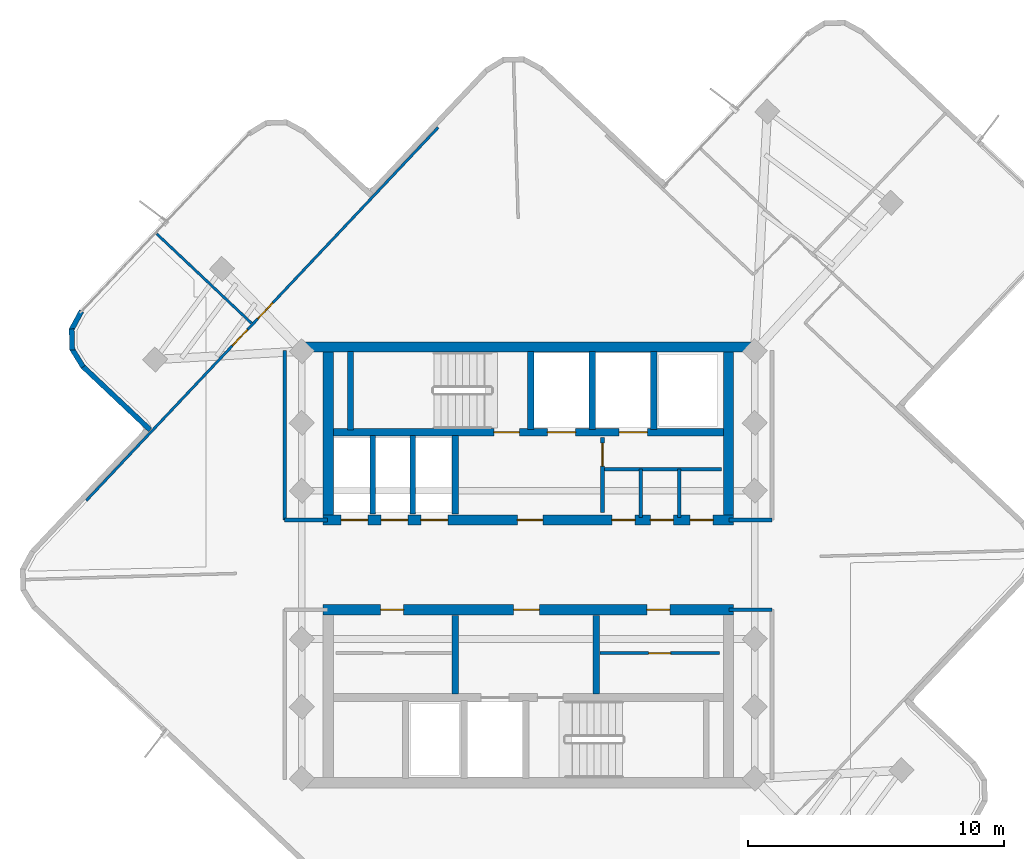
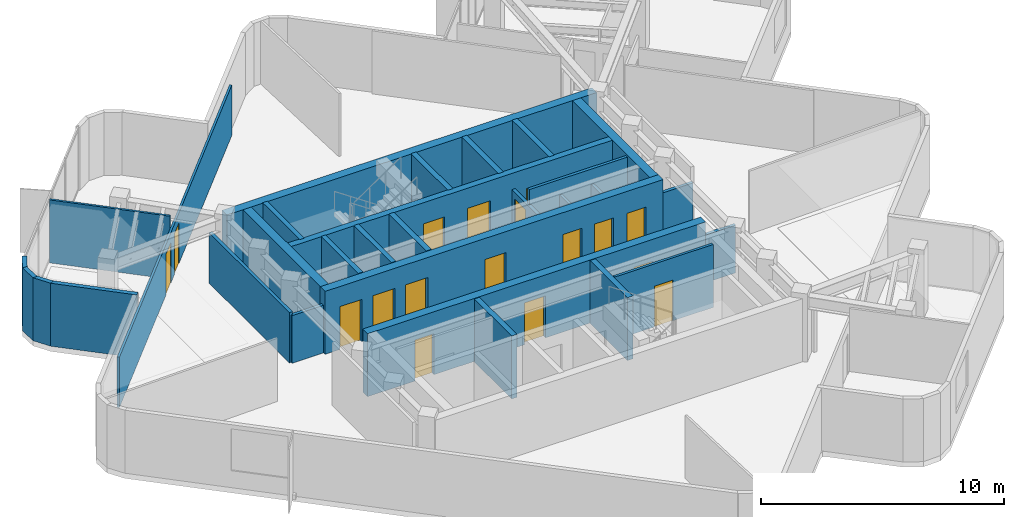
# One storey, part 6 of 10: 30 walls, 17 doors, 17 openings.
"""IFC4 building model written with IfcOpenShell, lengths in metres."""

from ifc_helpers import new_model, si_unit, direction, frame, frame_2d, origin, place, context, subcontext, project, spatial, rectangle, extrude, material, layer, layer_set, type_object, element, fill, save


model = new_model("IFC4")

# Units and contexts
model_context = context("Model", 3, precision=1e-05, world=origin(), true_north=direction((0.0, 1.0)))
body_context = subcontext(model_context, "Body", "Model", "MODEL_VIEW")
ifc_project = project(units=[si_unit("LENGTHUNIT", "METRE"), si_unit("AREAUNIT", "SQUARE_METRE"), si_unit("VOLUMEUNIT", "CUBIC_METRE"), si_unit("PLANEANGLEUNIT", "RADIAN"), si_unit("MASSUNIT", "GRAM", prefix="KILO")], contexts=[model_context])

# Site, building, storey
site_placement = place(None, origin())
site = spatial("IfcSite", under=ifc_project, at=site_placement, CompositionType="ELEMENT")
building_placement = place(site_placement, origin())
building = spatial("IfcBuilding", under=site, at=building_placement, Name="Solmarez Civic Tower", CompositionType="ELEMENT")
storey_placement = place(building_placement, frame((0.0, 0.0, 247.5)))
storey = spatial("IfcBuildingStorey", under=building, at=storey_placement, Name="L66", CompositionType="ELEMENT", Elevation=247.5)

# Wall
ifc_material_1 = material(Name="Concrete C50/60", Category="concrete")
ifc_layer_1 = layer(ifc_material_1, 0.39990234375)
ifc_layer_set_1 = layer_set([ifc_layer_1], Name="Concrete C50/60")
wall_type_1 = type_object("IfcWallType", Name="WALL-CORE-400", PredefinedType="SHEAR", material=ifc_layer_set_1)
wall_1_placement = place(storey_placement, frame((-8.780029296875, 8.510009765625, 0.0), z_axis=(0.0, 0.0, 1.0), x_axis=(1.0, 0.0, 0.0)))
element("IfcWall", 1, at=wall_1_placement, inside=storey, type_object=wall_type_1, Name="L66 Split-Core Structural Wall NCW-N-L66", PredefinedType="SHEAR", context=body_context, shape_type="SweptSolid", body=[
    extrude(rectangle(XDim=17.56005859375, YDim=0.39990234375, at=frame_2d((8.780029296875, 0.0))), origin(), (0.0, 0.0, 1.0), 3.159912109375),
])

# Wall, openings, doors
wall_2_placement = place(storey_placement, frame((8.02001953125, 1.75, 0.0), z_axis=(0.0, 0.0, 1.0), x_axis=(-1.0, 0.0, 0.0)))
wall_2 = element("IfcWall", 2, at=wall_2_placement, inside=storey, type_object=wall_type_1, Name="L66 Split-Core Structural Wall NCW-S-L66", PredefinedType="SHEAR", context=body_context, shape_type="SweptSolid", body=[
    extrude(rectangle(XDim=16.0400390625, YDim=0.39990234375, at=frame_2d((8.02001953125, 0.0))), origin(), (0.0, 0.0, 1.0), 3.159912109375),
])
opening_1_placement = place(wall_2_placement, frame((7.449951171875, 0.0, 0.0)))
opening_1 = element("IfcOpeningElement", 3, at=opening_1_placement, cuts=wall_2, Name="Opening D-04", PredefinedType="OPENING", context=body_context, shape_type="SweptSolid", body=[
    extrude(rectangle(XDim=1.0, YDim=2.10009765625, at=frame_2d((0.5, 1.050048828125))), frame((0.0, 0.2099609375, 0.0), z_axis=(0.0, -1.0, 0.0), x_axis=(1.0, 0.0, 0.0)), (0.0, 0.0, 1.0), 0.419921875),
])
opening_2_placement = place(wall_2_placement, frame((14.284912109375, 0.0, 0.0)))
opening_2 = element("IfcOpeningElement", 4, at=opening_2_placement, cuts=wall_2, Name="Opening LD-01", PredefinedType="OPENING", context=body_context, shape_type="SweptSolid", body=[
    extrude(rectangle(XDim=1.050048828125, YDim=2.14990234375, at=frame_2d((0.52490234375, 1.074951171875))), frame((0.0, 0.2099609375, 0.0), z_axis=(0.0, -1.0, 0.0), x_axis=(1.0, 0.0, 0.0)), (0.0, 0.0, 1.0), 0.419921875),
])
opening_3_placement = place(wall_2_placement, frame((12.72509765625, 0.0, 0.0)))
opening_3 = element("IfcOpeningElement", 5, at=opening_3_placement, cuts=wall_2, Name="Opening LD-01", PredefinedType="OPENING", context=body_context, shape_type="SweptSolid", body=[
    extrude(rectangle(XDim=1.050048828125, YDim=2.14990234375, at=frame_2d((0.52490234375, 1.074951171875))), frame((0.0, 0.2099609375, 0.0), z_axis=(0.0, -1.0, 0.0), x_axis=(1.0, 0.0, 0.0)), (0.0, 0.0, 1.0), 0.419921875),
])
opening_4_placement = place(wall_2_placement, frame((11.1650390625, 0.0, 0.0)))
opening_4 = element("IfcOpeningElement", 6, at=opening_4_placement, cuts=wall_2, Name="Opening LD-01", PredefinedType="OPENING", context=body_context, shape_type="SweptSolid", body=[
    extrude(rectangle(XDim=1.050048828125, YDim=2.14990234375, at=frame_2d((0.52490234375, 1.074951171875))), frame((0.0, 0.2099609375, 0.0), z_axis=(0.0, -1.0, 0.0), x_axis=(1.0, 0.0, 0.0)), (0.0, 0.0, 1.0), 0.419921875),
])
opening_5_placement = place(wall_2_placement, frame((3.85009765625, 0.0, 0.0)))
opening_5 = element("IfcOpeningElement", 7, at=opening_5_placement, cuts=wall_2, Name="Opening D-09", PredefinedType="OPENING", context=body_context, shape_type="SweptSolid", body=[
    extrude(rectangle(XDim=0.89990234375, YDim=2.06005859375, at=frame_2d((0.449951171875, 1.030029296875))), frame((0.0, 0.2099609375, 0.0), z_axis=(0.0, -1.0, 0.0), x_axis=(1.0, 0.0, 0.0)), (0.0, 0.0, 1.0), 0.419921875),
])
opening_6_placement = place(wall_2_placement, frame((2.35009765625, 0.0, 0.0)))
opening_6 = element("IfcOpeningElement", 8, at=opening_6_placement, cuts=wall_2, Name="Opening D-09", PredefinedType="OPENING", context=body_context, shape_type="SweptSolid", body=[
    extrude(rectangle(XDim=0.89990234375, YDim=2.06005859375, at=frame_2d((0.449951171875, 1.030029296875))), frame((0.0, 0.2099609375, 0.0), z_axis=(0.0, -1.0, 0.0), x_axis=(1.0, 0.0, 0.0)), (0.0, 0.0, 1.0), 0.419921875),
])
opening_7_placement = place(wall_2_placement, frame((0.800048828125, 0.0, 0.0)))
opening_7 = element("IfcOpeningElement", 9, at=opening_7_placement, cuts=wall_2, Name="Opening D-09", PredefinedType="OPENING", context=body_context, shape_type="SweptSolid", body=[
    extrude(rectangle(XDim=0.89990234375, YDim=2.06005859375, at=frame_2d((0.449951171875, 1.030029296875))), frame((0.0, 0.2099609375, 0.0), z_axis=(0.0, -1.0, 0.0), x_axis=(1.0, 0.0, 0.0)), (0.0, 0.0, 1.0), 0.419921875),
])
ifc_material_2 = material(Name="Steel-Faced Acoustic Fire Door", Category="steel")
door_type_1 = type_object("IfcDoorType", Name="DOOR-FD60-1000", OperationType="NOTDEFINED", PredefinedType="DOOR", material=ifc_material_2)
door_1_placement = place(opening_1_placement, origin())
door_1 = element("IfcDoor", 10, at=door_1_placement, inside=storey, type_object=door_type_1, Name="L66 North Firefighting Lobby Door", OperationType="SINGLE_SWING_LEFT", OverallHeight=2.10009765625, OverallWidth=1.0, PredefinedType="DOOR", context=body_context, shape_type="SweptSolid", body=[
    extrude(rectangle(XDim=1.0, YDim=2.10009765625, at=frame_2d((0.5, 1.050048828125))), frame((0.0, 0.02490234375, 0.0), z_axis=(0.0, -1.0, 0.0), x_axis=(1.0, 0.0, 0.0)), (0.0, 0.0, 1.0), 0.050048828125),
])
fill(opening_1, door_1)
ifc_material_3 = material(Name="Fire-Rated Service Core Door", Category="wood")
door_type_2 = type_object("IfcDoorType", Name="DOOR-FD60-900", OperationType="NOTDEFINED", PredefinedType="DOOR", material=ifc_material_3)
door_2_placement = place(opening_5_placement, origin())
door_2 = element("IfcDoor", 11, at=door_2_placement, inside=storey, type_object=door_type_2, Name="L66 Core WC Door", OperationType="SINGLE_SWING_RIGHT", OverallHeight=2.06005859375, OverallWidth=0.89990234375, PredefinedType="DOOR", context=body_context, shape_type="SweptSolid", body=[
    extrude(rectangle(XDim=0.89990234375, YDim=2.06005859375, at=frame_2d((0.449951171875, 1.030029296875))), frame((0.0, 0.02490234375, 0.0), z_axis=(0.0, -1.0, 0.0), x_axis=(1.0, 0.0, 0.0)), (0.0, 0.0, 1.0), 0.050048828125),
])
fill(opening_5, door_2)
door_3_placement = place(opening_6_placement, origin())
door_3 = element("IfcDoor", 12, at=door_3_placement, inside=storey, type_object=door_type_2, Name="L66 Core CL Door", OperationType="SINGLE_SWING_LEFT", OverallHeight=2.06005859375, OverallWidth=0.89990234375, PredefinedType="DOOR", context=body_context, shape_type="SweptSolid", body=[
    extrude(rectangle(XDim=0.89990234375, YDim=2.06005859375, at=frame_2d((0.449951171875, 1.030029296875))), frame((0.0, 0.02490234375, 0.0), z_axis=(0.0, -1.0, 0.0), x_axis=(1.0, 0.0, 0.0)), (0.0, 0.0, 1.0), 0.050048828125),
])
fill(opening_6, door_3)
door_4_placement = place(opening_7_placement, origin())
door_4 = element("IfcDoor", 13, at=door_4_placement, inside=storey, type_object=door_type_2, Name="L66 Core IT Door", OperationType="SINGLE_SWING_LEFT", OverallHeight=2.06005859375, OverallWidth=0.89990234375, PredefinedType="DOOR", context=body_context, shape_type="SweptSolid", body=[
    extrude(rectangle(XDim=0.89990234375, YDim=2.06005859375, at=frame_2d((0.449951171875, 1.030029296875))), frame((0.0, 0.02490234375, 0.0), z_axis=(0.0, -1.0, 0.0), x_axis=(1.0, 0.0, 0.0)), (0.0, 0.0, 1.0), 0.050048828125),
])
fill(opening_7, door_4)
ifc_material_4 = material(Name="Bronze Passenger Lift Landing Sliding Door", Category="aluminium")
door_type_3 = type_object("IfcDoorType", Name="DOOR-LD-PAX-1050", OperationType="DOUBLE_DOOR_SLIDING", PredefinedType="DOOR", material=ifc_material_4)
door_5_placement = place(opening_2_placement, origin())
door_5 = element("IfcDoor", 14, at=door_5_placement, inside=storey, type_object=door_type_3, Name="L66 High-Rise Lift Landing Door PL-H1", OperationType="DOUBLE_DOOR_SLIDING", OverallHeight=2.14990234375, OverallWidth=1.050048828125, PredefinedType="DOOR", context=body_context, shape_type="SweptSolid", body=[
    extrude(rectangle(XDim=1.050048828125, YDim=2.14990234375, at=frame_2d((0.52490234375, 1.074951171875))), frame((0.0, 0.02490234375, 0.0), z_axis=(0.0, -1.0, 0.0), x_axis=(1.0, 0.0, 0.0)), (0.0, 0.0, 1.0), 0.050048828125),
])
fill(opening_2, door_5)
door_6_placement = place(opening_3_placement, origin())
door_6 = element("IfcDoor", 15, at=door_6_placement, inside=storey, type_object=door_type_3, Name="L66 High-Rise Lift Landing Door PL-H2", OperationType="DOUBLE_DOOR_SLIDING", OverallHeight=2.14990234375, OverallWidth=1.050048828125, PredefinedType="DOOR", context=body_context, shape_type="SweptSolid", body=[
    extrude(rectangle(XDim=1.050048828125, YDim=2.14990234375, at=frame_2d((0.52490234375, 1.074951171875))), frame((0.0, 0.02490234375, 0.0), z_axis=(0.0, -1.0, 0.0), x_axis=(1.0, 0.0, 0.0)), (0.0, 0.0, 1.0), 0.050048828125),
])
fill(opening_3, door_6)
door_7_placement = place(opening_4_placement, origin())
door_7 = element("IfcDoor", 16, at=door_7_placement, inside=storey, type_object=door_type_3, Name="L66 High-Rise Lift Landing Door PL-H3", OperationType="DOUBLE_DOOR_SLIDING", OverallHeight=2.14990234375, OverallWidth=1.050048828125, PredefinedType="DOOR", context=body_context, shape_type="SweptSolid", body=[
    extrude(rectangle(XDim=1.050048828125, YDim=2.14990234375, at=frame_2d((0.52490234375, 1.074951171875))), frame((0.0, 0.02490234375, 0.0), z_axis=(0.0, -1.0, 0.0), x_axis=(1.0, 0.0, 0.0)), (0.0, 0.0, 1.0), 0.050048828125),
])
fill(opening_4, door_7)

# Walls
for number, where, z_axis, x_axis, name in (
    (17, (-7.820068359375, 1.949951171875, 0.0), (0.0, 0.0, 1.0), (0.0, 1.0, 0.0), "L66 Split-Core Structural Wall NCW-W-L66"),
    (18, (7.820068359375, 8.31005859375, 0.0), (0.0, 0.0, 1.0), (0.0, -1.0, 0.0), "L66 Split-Core Structural Wall NCW-E-L66"),
):
    element("IfcWall", number, at=place(storey_placement, frame(where, z_axis=z_axis, x_axis=x_axis)), inside=storey, type_object=wall_type_1, Name=name, PredefinedType="SHEAR", context=body_context, shape_type="SweptSolid", body=[
        extrude(rectangle(XDim=6.360107421875, YDim=0.39990234375, at=frame_2d((3.18017578125, 0.0))), origin(), (0.0, 0.0, 1.0), 3.159912109375),
    ])

# Wall, openings, doors
wall_3_placement = place(storey_placement, frame((-8.02001953125, -1.75, 0.0), z_axis=(0.0, 0.0, 1.0), x_axis=(1.0, 0.0, 0.0)))
wall_3 = element("IfcWall", 19, at=wall_3_placement, inside=storey, type_object=wall_type_1, Name="L66 Split-Core Structural Wall SCW-N-L66", PredefinedType="SHEAR", context=body_context, shape_type="SweptSolid", body=[
    extrude(rectangle(XDim=16.0400390625, YDim=0.39990234375, at=frame_2d((8.02001953125, 0.0))), origin(), (0.0, 0.0, 1.0), 3.159912109375),
])
opening_8_placement = place(wall_3_placement, frame((7.449951171875, 0.0, 0.0)))
opening_8 = element("IfcOpeningElement", 20, at=opening_8_placement, cuts=wall_3, Name="Opening D-04", PredefinedType="OPENING", context=body_context, shape_type="SweptSolid", body=[
    extrude(rectangle(XDim=1.0, YDim=2.10009765625, at=frame_2d((0.5, 1.050048828125))), frame((0.0, 0.2099609375, 0.0), z_axis=(0.0, -1.0, 0.0), x_axis=(1.0, 0.0, 0.0)), (0.0, 0.0, 1.0), 0.419921875),
])
opening_9_placement = place(wall_3_placement, frame((12.64990234375, 0.0, 0.0)))
opening_9 = element("IfcOpeningElement", 21, at=opening_9_placement, cuts=wall_3, Name="Opening D-09", PredefinedType="OPENING", context=body_context, shape_type="SweptSolid", body=[
    extrude(rectangle(XDim=0.89990234375, YDim=2.06005859375, at=frame_2d((0.449951171875, 1.030029296875))), frame((0.0, 0.2099609375, 0.0), z_axis=(0.0, -1.0, 0.0), x_axis=(1.0, 0.0, 0.0)), (0.0, 0.0, 1.0), 0.419921875),
])
opening_10_placement = place(wall_3_placement, frame((2.25, 0.0, 0.0)))
opening_10 = element("IfcOpeningElement", 22, at=opening_10_placement, cuts=wall_3, Name="Opening D-09", PredefinedType="OPENING", context=body_context, shape_type="SweptSolid", body=[
    extrude(rectangle(XDim=0.89990234375, YDim=2.06005859375, at=frame_2d((0.449951171875, 1.030029296875))), frame((0.0, 0.2099609375, 0.0), z_axis=(0.0, -1.0, 0.0), x_axis=(1.0, 0.0, 0.0)), (0.0, 0.0, 1.0), 0.419921875),
])
door_8_placement = place(opening_8_placement, origin())
door_8 = element("IfcDoor", 23, at=door_8_placement, inside=storey, type_object=door_type_1, Name="L66 South Firefighting Lobby Door", OperationType="SINGLE_SWING_RIGHT", OverallHeight=2.10009765625, OverallWidth=1.0, PredefinedType="DOOR", context=body_context, shape_type="SweptSolid", body=[
    extrude(rectangle(XDim=1.0, YDim=2.10009765625, at=frame_2d((0.5, 1.050048828125))), frame((0.0, 0.02490234375, 0.0), z_axis=(0.0, -1.0, 0.0), x_axis=(1.0, 0.0, 0.0)), (0.0, 0.0, 1.0), 0.050048828125),
])
fill(opening_8, door_8)
door_9_placement = place(opening_9_placement, origin())
door_9 = element("IfcDoor", 24, at=door_9_placement, inside=storey, type_object=door_type_2, Name="L66 Freed Hoistway Mailroom Door", OperationType="SINGLE_SWING_LEFT", OverallHeight=2.06005859375, OverallWidth=0.89990234375, PredefinedType="DOOR", context=body_context, shape_type="SweptSolid", body=[
    extrude(rectangle(XDim=0.89990234375, YDim=2.06005859375, at=frame_2d((0.449951171875, 1.030029296875))), frame((0.0, 0.02490234375, 0.0), z_axis=(0.0, -1.0, 0.0), x_axis=(1.0, 0.0, 0.0)), (0.0, 0.0, 1.0), 0.050048828125),
])
fill(opening_9, door_9)
door_10_placement = place(opening_10_placement, origin())
door_10 = element("IfcDoor", 25, at=door_10_placement, inside=storey, type_object=door_type_2, Name="L66 Staff Kitchenette Pantry Door", OperationType="SINGLE_SWING_RIGHT", OverallHeight=2.06005859375, OverallWidth=0.89990234375, PredefinedType="DOOR", context=body_context, shape_type="SweptSolid", body=[
    extrude(rectangle(XDim=0.89990234375, YDim=2.06005859375, at=frame_2d((0.449951171875, 1.030029296875))), frame((0.0, 0.02490234375, 0.0), z_axis=(0.0, -1.0, 0.0), x_axis=(1.0, 0.0, 0.0)), (0.0, 0.0, 1.0), 0.050048828125),
])
fill(opening_10, door_10)

# Walls
ifc_material_5 = material(Name="Precast concrete C40/50", Category="concrete")
ifc_layer_2 = layer(ifc_material_5, 0.199951171875)
ifc_layer_set_2 = layer_set([ifc_layer_2], Name="Precast concrete C40/50")
wall_type_2 = type_object("IfcWallType", Name="WALL-EXT-200", PredefinedType="SOLIDWALL", material=ifc_layer_set_2)
wall_4_placement = place(storey_placement, frame((-14.778076171875, 5.27490234375, 0.0), z_axis=(0.0, 0.0, 1.0), x_axis=(-0.727262285553, 0.686359649172, 0.0)))
element("IfcWall", 26, at=wall_4_placement, inside=storey, type_object=wall_type_2, Name="L66 Exterior Precast Wall 13", PredefinedType="SOLIDWALL", context=body_context, shape_type="SweptSolid", body=[
    extrude(rectangle(XDim=3.640869140625, YDim=0.199951171875, at=frame_2d((1.8203125, 0.0))), origin(), (0.0, 0.0, 1.0), 3.159912109375),
])
wall_5_placement = place(storey_placement, frame((-17.39501953125, 7.736083984375, 0.0), z_axis=(0.0, 0.0, 1.0), x_axis=(-0.52517019965, 0.850997215859, 0.0)))
element("IfcWall", 27, at=wall_5_placement, inside=storey, type_object=wall_type_2, Name="L66 Exterior Precast Wall 14", PredefinedType="SOLIDWALL", context=body_context, shape_type="SweptSolid", body=[
    extrude(rectangle(XDim=0.837646484375, YDim=0.199951171875, at=frame_2d((0.4189453125, 0.0))), origin(), (0.0, 0.0, 1.0), 3.159912109375),
])
wall_6_placement = place(storey_placement, frame((-17.821044921875, 8.403076171875, 0.0), z_axis=(0.0, 0.0, 1.0), x_axis=(-0.030208429442, 0.999543621255, 0.0)))
element("IfcWall", 28, at=wall_6_placement, inside=storey, type_object=wall_type_2, Name="L66 Exterior Precast Wall 15", PredefinedType="SOLIDWALL", context=body_context, shape_type="SweptSolid", body=[
    extrude(rectangle(XDim=0.824462890625, YDim=0.199951171875, at=frame_2d((0.412109375, 0.0))), origin(), (0.0, 0.0, 1.0), 3.159912109375),
])
wall_7_placement = place(storey_placement, frame((-17.85693359375, 9.179931640625, 0.0), z_axis=(0.0, 0.0, 1.0), x_axis=(0.474603278561, 0.880199822755, 0.0)))
element("IfcWall", 29, at=wall_7_placement, inside=storey, type_object=wall_type_2, Name="L66 Exterior Precast Wall 16", PredefinedType="SOLIDWALL", context=body_context, shape_type="SweptSolid", body=[
    extrude(rectangle(XDim=0.83837890625, YDim=0.199951171875, at=frame_2d((0.419189453125, 0.0))), origin(), (0.0, 0.0, 1.0), 3.159912109375),
])
ifc_material_6 = material(Name="Gypsum Board Acoustic Steel-Stud Partition", Category="steel")
ifc_layer_3 = layer(ifc_material_6, 0.14990234375)
ifc_layer_set_3 = layer_set([ifc_layer_3], Name="Gypsum Board Acoustic Steel-Stud Partition")
wall_type_3 = type_object("IfcWallType", Name="WALL-INT-FIRE-150", PredefinedType="PARTITIONING", material=ifc_layer_set_3)
wall_8_placement = place(storey_placement, frame((-9.52001953125, 1.75, 0.0), z_axis=(0.0, 0.0, 1.0), x_axis=(0.0, 1.0, 0.0)))
element("IfcWall", 30, at=wall_8_placement, inside=storey, type_object=wall_type_3, Name="L66 Interior Partition CHW-L66-WN1", PredefinedType="PARTITIONING", context=body_context, shape_type="SweptSolid", body=[
    extrude(rectangle(XDim=6.6298828125, YDim=0.14990234375, at=frame_2d((3.31494140625, 0.0))), origin(), (0.0, 0.0, 1.0), 2.530029296875),
])
for number, where, z_axis, x_axis, name in (
    (31, (-7.85009765625, 1.75, 0.0), (0.0, 0.0, 1.0), (-1.0, 0.0, 0.0), "L66 Interior Partition CHW-L66-WN3"),
    (32, (7.85009765625, 1.75, 0.0), (0.0, 0.0, 1.0), (1.0, 0.0, 0.0), "L66 Interior Partition CHW-L66-EN3"),
    (33, (7.85009765625, -1.75, 0.0), (0.0, 0.0, 1.0), (1.0, 0.0, 0.0), "L66 Interior Partition CHW-L66-ES3"),
):
    element("IfcWall", number, at=place(storey_placement, frame(where, z_axis=z_axis, x_axis=x_axis)), inside=storey, type_object=wall_type_3, Name=name, PredefinedType="PARTITIONING", context=body_context, shape_type="SweptSolid", body=[
        extrude(rectangle(XDim=1.669921875, YDim=0.14990234375, at=frame_2d((0.8349609375, 0.0))), origin(), (0.0, 0.0, 1.0), 2.389892578125),
    ])
ifc_layer_4 = layer(ifc_material_6, 0.10009765625)
ifc_layer_set_4 = layer_set([ifc_layer_4], Name="Gypsum Board Acoustic Steel-Stud Partition")
wall_type_4 = type_object("IfcWallType", Name="WALL-INT-PART-100", PredefinedType="PARTITIONING", material=ifc_layer_set_4)
wall_9_placement = place(storey_placement, frame((-10.81689453125, 9.445068359375, 0.0), z_axis=(0.0, 0.0, 1.0), x_axis=(-0.727564075469, 0.686039733606, 0.0)))
element("IfcWall", 34, at=wall_9_placement, inside=storey, type_object=wall_type_4, Name="L66 Interior Partition PT-L66-N-ALM", PredefinedType="PARTITIONING", context=body_context, shape_type="SweptSolid", body=[
    extrude(rectangle(XDim=5.085693359375, YDim=0.10009765625, at=frame_2d((2.54296875, 0.0))), origin(), (0.0, 0.0, 1.0), 3.159912109375),
])

# Wall, openings, doors
wall_10_placement = place(storey_placement, frame((-17.27099609375, 2.513916015625, 0.0), z_axis=(0.0, 0.0, 1.0), x_axis=(0.686068145865, 0.727537283739, 0.0)))
wall_10 = element("IfcWall", 35, at=wall_10_placement, inside=storey, type_object=wall_type_4, Name="L66 Interior Partition PT-L66-N-ENT", PredefinedType="PARTITIONING", context=body_context, shape_type="SweptSolid", body=[
    extrude(rectangle(XDim=20.040283203125, YDim=0.10009765625, at=frame_2d((10.02001953125, 0.0))), origin(), (0.0, 0.0, 1.0), 2.530029296875),
])
opening_11_placement = place(wall_10_placement, frame((9.760009765625, 0.0, 0.0)))
opening_11 = element("IfcOpeningElement", 36, at=opening_11_placement, cuts=wall_10, Name="Opening D-14", PredefinedType="OPENING", context=body_context, shape_type="SweptSolid", body=[
    extrude(rectangle(XDim=0.860107421875, YDim=2.0400390625, at=frame_2d((0.43017578125, 1.02001953125))), frame((0.0, 0.06005859375, 0.0), z_axis=(0.0, -1.0, 0.0), x_axis=(1.0, 0.0, 0.0)), (0.0, 0.0, 1.0), 0.1201171875),
])
opening_12_placement = place(wall_10_placement, frame((8.320068359375, 0.0, 0.0)))
opening_12 = element("IfcOpeningElement", 37, at=opening_12_placement, cuts=wall_10, Name="Opening D-14", PredefinedType="OPENING", context=body_context, shape_type="SweptSolid", body=[
    extrude(rectangle(XDim=0.860107421875, YDim=2.0400390625, at=frame_2d((0.43017578125, 1.02001953125))), frame((0.0, 0.06005859375, 0.0), z_axis=(0.0, -1.0, 0.0), x_axis=(1.0, 0.0, 0.0)), (0.0, 0.0, 1.0), 0.1201171875),
])
ifc_material_7 = material(Name="Timber Storage and Pantry Door", Category="wood")
door_type_4 = type_object("IfcDoorType", Name="DOOR-INT-850", OperationType="NOTDEFINED", PredefinedType="DOOR", material=ifc_material_7)
door_11_placement = place(opening_11_placement, origin())
door_11 = element("IfcDoor", 38, at=door_11_placement, inside=storey, type_object=door_type_4, Name="L66 Security Control Room Second North Door", OperationType="SINGLE_SWING_RIGHT", OverallHeight=2.0400390625, OverallWidth=0.860107421875, PredefinedType="DOOR", context=body_context, shape_type="SweptSolid", body=[
    extrude(rectangle(XDim=0.860107421875, YDim=2.0400390625, at=frame_2d((0.43017578125, 1.02001953125))), frame((0.0, 0.02490234375, 0.0), z_axis=(0.0, -1.0, 0.0), x_axis=(1.0, 0.0, 0.0)), (0.0, 0.0, 1.0), 0.050048828125),
])
fill(opening_11, door_11)
door_12_placement = place(opening_12_placement, origin())
door_12 = element("IfcDoor", 39, at=door_12_placement, inside=storey, type_object=door_type_4, Name="L66 Delegation Concierge Room First North Door", OperationType="SINGLE_SWING_LEFT", OverallHeight=2.0400390625, OverallWidth=0.860107421875, PredefinedType="DOOR", context=body_context, shape_type="SweptSolid", body=[
    extrude(rectangle(XDim=0.860107421875, YDim=2.0400390625, at=frame_2d((0.43017578125, 1.02001953125))), frame((0.0, 0.02490234375, 0.0), z_axis=(0.0, -1.0, 0.0), x_axis=(1.0, 0.0, 0.0)), (0.0, 0.0, 1.0), 0.050048828125),
])
fill(opening_12, door_12)

# Wall, opening, door
ifc_layer_5 = layer(ifc_material_6, 0.1201171875)
ifc_layer_set_5 = layer_set([ifc_layer_5], Name="Gypsum Board Acoustic Steel-Stud Partition")
wall_type_5 = type_object("IfcWallType", Name="WALL-INT-PART-120", PredefinedType="PARTITIONING", material=ifc_layer_set_5)
wall_11_placement = place(storey_placement, frame((2.800048828125, -3.449951171875, 0.0), z_axis=(0.0, 0.0, 1.0), x_axis=(1.0, 0.0, 0.0)))
wall_11 = element("IfcWall", 40, at=wall_11_placement, inside=storey, type_object=wall_type_5, Name="L66 Interior Partition PT-FPLL-L66", PredefinedType="PARTITIONING", context=body_context, shape_type="SweptSolid", body=[
    extrude(rectangle(XDim=4.679931640625, YDim=0.1201171875, at=frame_2d((2.33984375, 0.0))), origin(), (0.0, 0.0, 1.0), 3.159912109375),
])
opening_13_placement = place(wall_11_placement, frame((1.89990234375, 0.0, 0.0)))
opening_13 = element("IfcOpeningElement", 41, at=opening_13_placement, cuts=wall_11, Name="Opening D-14", PredefinedType="OPENING", context=body_context, shape_type="SweptSolid", body=[
    extrude(rectangle(XDim=0.860107421875, YDim=2.0400390625, at=frame_2d((0.43017578125, 1.02001953125))), frame((0.0, 0.070068359375, 0.0), z_axis=(0.0, -1.0, 0.0), x_axis=(1.0, 0.0, 0.0)), (0.0, 0.0, 1.0), 0.14013671875),
])
door_13_placement = place(opening_13_placement, origin())
door_13 = element("IfcDoor", 42, at=door_13_placement, inside=storey, type_object=door_type_4, Name="L66 Records Filing Room Door", OperationType="SINGLE_SWING_LEFT", OverallHeight=2.0400390625, OverallWidth=0.860107421875, PredefinedType="DOOR", context=body_context, shape_type="SweptSolid", body=[
    extrude(rectangle(XDim=0.860107421875, YDim=2.0400390625, at=frame_2d((0.43017578125, 1.02001953125))), frame((0.0, 0.02490234375, 0.0), z_axis=(0.0, -1.0, 0.0), x_axis=(1.0, 0.0, 0.0)), (0.0, 0.0, 1.0), 0.050048828125),
])
fill(opening_13, door_13)

ifc_layer_6 = layer(ifc_material_6, 0.159912109375)
ifc_layer_set_6 = layer_set([ifc_layer_6], Name="Gypsum Board Acoustic Steel-Stud Partition")
wall_type_6 = type_object("IfcWallType", Name="WALL-INT-SHAFT-160", PredefinedType="PARTITIONING", material=ifc_layer_set_6)
wall_12_placement = place(storey_placement, frame((2.89990234375, 2.0400390625, 0.0), z_axis=(0.0, 0.0, 1.0), x_axis=(0.0, 1.0, 0.0)))
wall_12 = element("IfcWall", 43, at=wall_12_placement, inside=storey, type_object=wall_type_6, Name="L66 Interior Partition SHW-NL2-L66", PredefinedType="PARTITIONING", context=body_context, shape_type="SweptSolid", body=[
    extrude(rectangle(XDim=2.93994140625, YDim=0.159912109375, at=frame_2d((1.469970703125, 0.0))), origin(), (0.0, 0.0, 1.0), 2.389892578125),
])
opening_14_placement = place(wall_12_placement, frame((1.820068359375, 0.0, 0.0)))
opening_14 = element("IfcOpeningElement", 44, at=opening_14_placement, cuts=wall_12, Name="Opening D-09", PredefinedType="OPENING", context=body_context, shape_type="SweptSolid", body=[
    extrude(rectangle(XDim=0.89990234375, YDim=2.06005859375, at=frame_2d((0.449951171875, 1.030029296875))), frame((0.0, 0.08984375, 0.0), z_axis=(0.0, -1.0, 0.0), x_axis=(1.0, 0.0, 0.0)), (0.0, 0.0, 1.0), 0.179931640625),
])
door_14_placement = place(opening_14_placement, origin())
door_14 = element("IfcDoor", 45, at=door_14_placement, inside=storey, type_object=door_type_2, Name="L66 Service Lift Lobby Door", OperationType="SINGLE_SWING_LEFT", OverallHeight=2.06005859375, OverallWidth=0.89990234375, PredefinedType="DOOR", context=body_context, shape_type="SweptSolid", body=[
    extrude(rectangle(XDim=0.89990234375, YDim=2.06005859375, at=frame_2d((0.449951171875, 1.030029296875))), frame((0.0, 0.02490234375, 0.0), z_axis=(0.0, -1.0, 0.0), x_axis=(1.0, 0.0, 0.0)), (0.0, 0.0, 1.0), 0.050048828125),
])
fill(opening_14, door_14)

# Walls
ifc_layer_7 = layer(ifc_material_6, 0.137939453125)
ifc_layer_set_7 = layer_set([ifc_layer_7], Name="Gypsum Board Acoustic Steel-Stud Partition")
wall_type_7 = type_object("IfcWallType", Name="WALL-INT-WET-140", PredefinedType="PARTITIONING", material=ifc_layer_set_7)
wall_13_placement = place(storey_placement, frame((2.89990234375, 3.739990234375, 0.0), z_axis=(0.0, 0.0, 1.0), x_axis=(1.0, 0.0, 0.0)))
element("IfcWall", 46, at=wall_13_placement, inside=storey, type_object=wall_type_7, Name="L66 Interior Partition SHW-SVH-L66", PredefinedType="PARTITIONING", context=body_context, shape_type="SweptSolid", body=[
    extrude(rectangle(XDim=4.650146484375, YDim=0.137939453125, at=frame_2d((2.3251953125, 0.0))), origin(), (0.0, 0.0, 1.0), 3.159912109375),
])
for number, where, z_axis, x_axis, name in (
    (47, (4.39990234375, 1.85009765625, 0.0), (0.0, 0.0, 1.0), (0.0, 1.0, 0.0), "L66 Interior Partition PT-NCSV1-L66"),
    (48, (5.89990234375, 1.85009765625, 0.0), (0.0, 0.0, 1.0), (0.0, 1.0, 0.0), "L66 Interior Partition PT-NCSV2-L66"),
):
    element("IfcWall", number, at=place(storey_placement, frame(where, z_axis=z_axis, x_axis=x_axis)), inside=storey, type_object=wall_type_7, Name=name, PredefinedType="PARTITIONING", context=body_context, shape_type="SweptSolid", body=[
        extrude(rectangle(XDim=1.889892578125, YDim=0.137939453125, at=frame_2d((0.94482421875, 0.0))), origin(), (0.0, 0.0, 1.0), 2.389892578125),
    ])

# Wall, openings, doors
ifc_layer_8 = layer(ifc_material_1, 0.300048828125)
ifc_layer_set_8 = layer_set([ifc_layer_8], Name="Concrete C50/60")
wall_type_8 = type_object("IfcWallType", Name="WALL-STR-300", PredefinedType="SOLIDWALL", material=ifc_layer_set_8)
wall_14_placement = place(storey_placement, frame((7.6201171875, 5.179931640625, 0.0), z_axis=(0.0, 0.0, 1.0), x_axis=(-1.0, 0.0, 0.0)))
wall_14 = element("IfcWall", 49, at=wall_14_placement, inside=storey, type_object=wall_type_8, Name="L66 Split-Core Structural Wall NCW-M-L66", PredefinedType="SOLIDWALL", context=body_context, shape_type="SweptSolid", body=[
    extrude(rectangle(XDim=15.240234375, YDim=0.300048828125, at=frame_2d((7.6201171875, 0.0))), origin(), (0.0, 0.0, 1.0), 3.159912109375),
])
opening_15_placement = place(wall_14_placement, frame((5.77001953125, 0.0, 0.0)))
opening_15 = element("IfcOpeningElement", 50, at=opening_15_placement, cuts=wall_14, Name="Opening LD-02", PredefinedType="OPENING", context=body_context, shape_type="SweptSolid", body=[
    extrude(rectangle(XDim=1.10009765625, YDim=2.14990234375, at=frame_2d((0.550048828125, 1.074951171875))), frame((0.0, 0.159912109375, 0.0), z_axis=(0.0, -1.0, 0.0), x_axis=(1.0, 0.0, 0.0)), (0.0, 0.0, 1.0), 0.320068359375),
])
opening_16_placement = place(wall_14_placement, frame((2.969970703125, 0.0, 0.0)))
opening_16 = element("IfcOpeningElement", 51, at=opening_16_placement, cuts=wall_14, Name="Opening LD-03", PredefinedType="OPENING", context=body_context, shape_type="SweptSolid", body=[
    extrude(rectangle(XDim=1.10009765625, YDim=2.14990234375, at=frame_2d((0.550048828125, 1.074951171875))), frame((0.0, 0.159912109375, 0.0), z_axis=(0.0, -1.0, 0.0), x_axis=(1.0, 0.0, 0.0)), (0.0, 0.0, 1.0), 0.320068359375),
])
opening_17_placement = place(wall_14_placement, frame((7.969970703125, 0.0, 0.0)))
opening_17 = element("IfcOpeningElement", 52, at=opening_17_placement, cuts=wall_14, Name="Opening D-05", PredefinedType="OPENING", context=body_context, shape_type="SweptSolid", body=[
    extrude(rectangle(XDim=1.0, YDim=2.10009765625, at=frame_2d((0.5, 1.050048828125))), frame((0.0, 0.159912109375, 0.0), z_axis=(0.0, -1.0, 0.0), x_axis=(1.0, 0.0, 0.0)), (0.0, 0.0, 1.0), 0.320068359375),
])
ifc_material_8 = material(Name="Fire-Rated Stairwell Exit Door", Category="wood")
door_type_5 = type_object("IfcDoorType", Name="DOOR-FD90-1000", OperationType="NOTDEFINED", PredefinedType="DOOR", material=ifc_material_8)
door_15_placement = place(opening_17_placement, origin())
door_15 = element("IfcDoor", 53, at=door_15_placement, inside=storey, type_object=door_type_5, Name="L66 North Exit Stair Door ST-1", OperationType="SINGLE_SWING_LEFT", OverallHeight=2.10009765625, OverallWidth=1.0, PredefinedType="DOOR", context=body_context, shape_type="SweptSolid", body=[
    extrude(rectangle(XDim=1.0, YDim=2.10009765625, at=frame_2d((0.5, 1.050048828125))), frame((0.0, 0.02490234375, 0.0), z_axis=(0.0, -1.0, 0.0), x_axis=(1.0, 0.0, 0.0)), (0.0, 0.0, 1.0), 0.050048828125),
])
fill(opening_17, door_15)
ifc_material_9 = material(Name="Stainless Firefighting Lift Landing Sliding Door", Category="aluminium")
door_type_6 = type_object("IfcDoorType", Name="DOOR-LD-FF-1100", OperationType="DOUBLE_DOOR_SLIDING", PredefinedType="DOOR", material=ifc_material_9)
door_16_placement = place(opening_15_placement, origin())
door_16 = element("IfcDoor", 54, at=door_16_placement, inside=storey, type_object=door_type_6, Name="L66 Firefighting Lift Landing Door FFL-1", OperationType="DOUBLE_DOOR_SLIDING", OverallHeight=2.14990234375, OverallWidth=1.10009765625, PredefinedType="DOOR", context=body_context, shape_type="SweptSolid", body=[
    extrude(rectangle(XDim=1.10009765625, YDim=2.14990234375, at=frame_2d((0.550048828125, 1.074951171875))), frame((0.0, 0.02490234375, 0.0), z_axis=(0.0, -1.0, 0.0), x_axis=(1.0, 0.0, 0.0)), (0.0, 0.0, 1.0), 0.050048828125),
])
fill(opening_15, door_16)
ifc_material_10 = material(Name="Stainless Stretcher Lift Landing Sliding Door", Category="aluminium")
door_type_7 = type_object("IfcDoorType", Name="DOOR-LD-SV-1100", OperationType="DOUBLE_DOOR_SLIDING", PredefinedType="DOOR", material=ifc_material_10)
door_17_placement = place(opening_16_placement, origin())
door_17 = element("IfcDoor", 55, at=door_17_placement, inside=storey, type_object=door_type_7, Name="L66 Service Stretcher Lift Landing Door SVL-1", OperationType="DOUBLE_DOOR_SLIDING", OverallHeight=2.14990234375, OverallWidth=1.10009765625, PredefinedType="DOOR", context=body_context, shape_type="SweptSolid", body=[
    extrude(rectangle(XDim=1.10009765625, YDim=2.14990234375, at=frame_2d((0.550048828125, 1.074951171875))), frame((0.0, 0.02490234375, 0.0), z_axis=(0.0, -1.0, 0.0), x_axis=(1.0, 0.0, 0.0)), (0.0, 0.0, 1.0), 0.050048828125),
])
fill(opening_16, door_17)

# Walls
wall_15_placement = place(storey_placement, frame((-6.949951171875, 5.280029296875, 0.0), z_axis=(0.0, 0.0, 1.0), x_axis=(0.0, 1.0, 0.0)))
element("IfcWall", 56, at=wall_15_placement, inside=storey, type_object=wall_type_8, Name="L66 Split-Core Structural Wall SHW-NW-L66", PredefinedType="SOLIDWALL", context=body_context, shape_type="SweptSolid", body=[
    extrude(rectangle(XDim=3.06005859375, YDim=0.219970703125, at=frame_2d((1.530029296875, 0.0))), origin(), (0.0, 0.0, 1.0), 3.159912109375),
])
for number, where, z_axis, x_axis, name in (
    (57, (0.10009765625, 5.300048828125, 0.0), (0.0, 0.0, 1.0), (0.0, 1.0, 0.0), "L66 Split-Core Structural Wall SHW-N1-L66"),
    (58, (2.5, 5.300048828125, 0.0), (0.0, 0.0, 1.0), (0.0, 1.0, 0.0), "L66 Split-Core Structural Wall SHW-N2-L66"),
    (59, (4.89990234375, 5.300048828125, 0.0), (0.0, 0.0, 1.0), (0.0, 1.0, 0.0), "L66 Split-Core Structural Wall SHW-N3-L66"),
):
    element("IfcWall", number, at=place(storey_placement, frame(where, z_axis=z_axis, x_axis=x_axis)), inside=storey, type_object=wall_type_8, Name=name, PredefinedType="SOLIDWALL", context=body_context, shape_type="SweptSolid", body=[
        extrude(rectangle(XDim=3.0400390625, YDim=0.25, at=frame_2d((1.52001953125, 0.0))), origin(), (0.0, 0.0, 1.0), 3.159912109375),
    ])
for number, where, z_axis, x_axis, name in (
    (60, (-2.85009765625, 1.97998046875, 0.0), (0.0, 0.0, 1.0), (0.0, 1.0, 0.0), "L66 Split-Core Structural Wall SHW-NL1-L66"),
    (61, (-2.85009765625, -5.050048828125, 0.0), (0.0, 0.0, 1.0), (0.0, 1.0, 0.0), "L66 Split-Core Structural Wall SHW-SL1-L66"),
    (62, (2.64990234375, -5.050048828125, 0.0), (0.0, 0.0, 1.0), (0.0, 1.0, 0.0), "L66 Split-Core Structural Wall SHW-SL2-L66"),
):
    element("IfcWall", number, at=place(storey_placement, frame(where, z_axis=z_axis, x_axis=x_axis)), inside=storey, type_object=wall_type_8, Name=name, PredefinedType="SOLIDWALL", context=body_context, shape_type="SweptSolid", body=[
        extrude(rectangle(XDim=3.070068359375, YDim=0.25, at=frame_2d((1.53515625, 0.0))), origin(), (0.0, 0.0, 1.0), 3.159912109375),
    ])
for number, where, z_axis, x_axis, name in (
    (63, (-6.080078125, 1.97998046875, 0.0), (0.0, 0.0, 1.0), (0.0, 1.0, 0.0), "L66 Split-Core Structural Wall SHW-PLH-L66-1"),
    (64, (-4.52001953125, 1.97998046875, 0.0), (0.0, 0.0, 1.0), (0.0, 1.0, 0.0), "L66 Split-Core Structural Wall SHW-PLH-L66-2"),
):
    element("IfcWall", number, at=place(storey_placement, frame(where, z_axis=z_axis, x_axis=x_axis)), inside=storey, type_object=wall_type_8, Name=name, PredefinedType="SOLIDWALL", context=body_context, shape_type="SweptSolid", body=[
        extrude(rectangle(XDim=3.070068359375, YDim=0.219970703125, at=frame_2d((1.53515625, 0.0))), origin(), (0.0, 0.0, 1.0), 3.159912109375),
    ])

save(model, "model.ifc")
